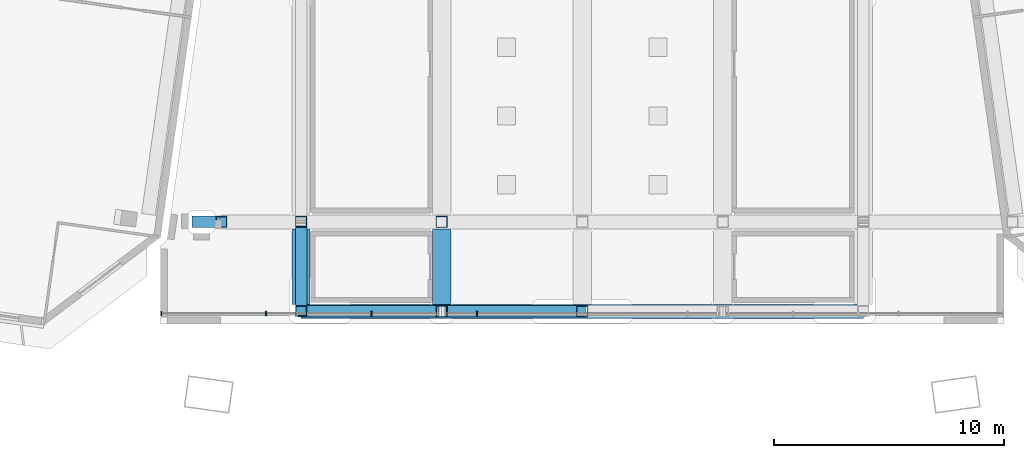
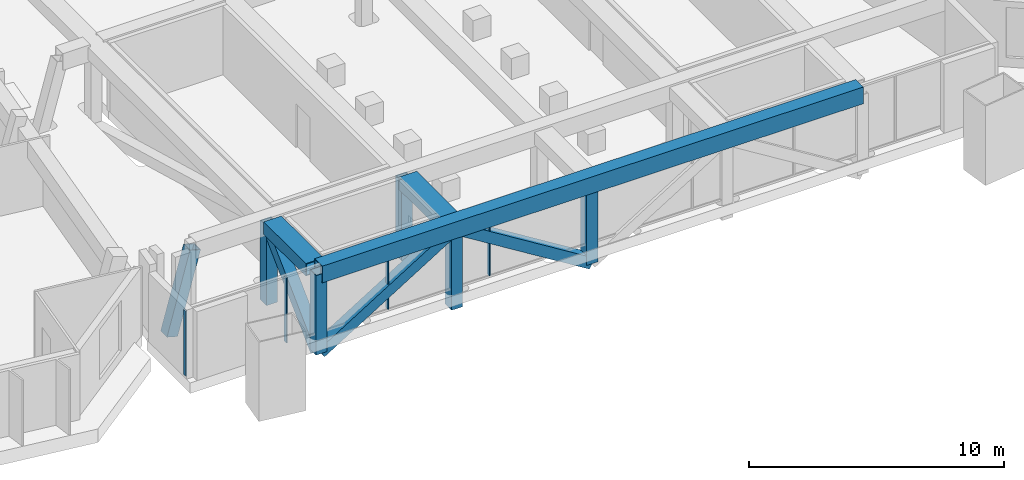
# One storey, part 3 of 30: 16 members, 1 element without a shape of its own.
"""IFC4 building model written with IfcOpenShell, lengths in metres."""

import ifcopenshell
import ifcopenshell.guid

model = None  # the IFC model being written
_history = None  # IfcOwnerHistory: only IFC2X3 demands one
_inside = {}  # id of a spatial element -> (the spatial element, [elements in it])
_under = {}  # id of a project, library or spatial element -> (it, [spatial elements below it])
_declared = {}  # id of a project -> (the project, [libraries it declares])
_typed = {}  # id of a type object -> (the type object, [elements of that type])
_made_of = {}  # id of a material, layer set ... -> (it, [elements and type objects made of it])


def new_model(schema):
    """Start an empty IFC model of exactly this schema.

    Asked for "IFC4X3", IfcOpenShell would pick the latest addendum, in which some entities
    have other attributes; the version numbers below select the first issue.
    IFC2X3 requires an IfcOwnerHistory on every rooted entity: one is made here for all.
    """
    global model, _history
    if schema == "IFC4X3":
        model = ifcopenshell.file(schema_version=(4, 3, 0, 0))
    else:
        model = ifcopenshell.file(schema=schema)
    _inside.clear()
    _under.clear()
    _declared.clear()
    _typed.clear()
    _made_of.clear()
    _history = None
    if model.schema == "IFC2X3":
        org = make("IfcOrganization", Name="unknown")
        user = make(
            "IfcPersonAndOrganization",
            ThePerson=make("IfcPerson", FamilyName="unknown"),
            TheOrganization=org,
        )
        app = make(
            "IfcApplication",
            ApplicationDeveloper=org,
            Version="unknown",
            ApplicationFullName="unknown",
            ApplicationIdentifier="unknown",
        )
        _history = make(
            "IfcOwnerHistory",
            OwningUser=user,
            OwningApplication=app,
            ChangeAction="ADDED",
            CreationDate=0,
        )
    return model


def make(cls, **values):
    """One entity of the class cls with the attributes given. An attribute that is None is left unset."""
    return model.create_entity(
        cls, **{name: value for name, value in values.items() if value is not None}
    )


def rooted(cls, **values):
    """An entity with a GlobalId (a new one), such as an element, a storey or a relation."""
    return make(cls, GlobalId=ifcopenshell.guid.new(), OwnerHistory=_history, **values)


def si_unit(unit_type, name, prefix=None):
    """IfcSIUnit, for example si_unit("LENGTHUNIT", "METRE", prefix="MILLI")."""
    return make("IfcSIUnit", UnitType=unit_type, Prefix=prefix, Name=name)


def assignment(units):
    """IfcUnitAssignment: the units of a project."""
    return None if units is None else make("IfcUnitAssignment", Units=units)


def point(xyz):
    """IfcCartesianPoint."""
    return None if xyz is None else make("IfcCartesianPoint", Coordinates=xyz)


def direction(xyz):
    """IfcDirection."""
    return None if xyz is None else make("IfcDirection", DirectionRatios=xyz)


def frame(location, z_axis=None, x_axis=None):
    """IfcAxis2Placement3D, a coordinate frame: its origin and axes. An axis left out is left unset."""
    return make(
        "IfcAxis2Placement3D",
        Location=point(location),
        Axis=direction(z_axis),
        RefDirection=direction(x_axis),
    )


def frame_2d(location, x_axis=None):
    """IfcAxis2Placement2D, a coordinate frame in the plane: its origin and x axis."""
    return make(
        "IfcAxis2Placement2D", Location=point(location), RefDirection=direction(x_axis)
    )


def origin():
    """The frame at (0, 0, 0) with its axes left unset."""
    return frame((0.0, 0.0, 0.0))


def origin_2d():
    """The frame at (0, 0) in the plane with its x axis left unset."""
    return frame_2d((0.0, 0.0))


def place(relative_to, where):
    """IfcLocalPlacement: puts the frame where relative to a parent placement (None: the world)."""
    return make(
        "IfcLocalPlacement", PlacementRelTo=relative_to, RelativePlacement=where
    )


def context(
    kind, dimensions, precision=None, world=None, true_north=None, identifier=None
):
    """IfcGeometricRepresentationContext, for example the 3D "Model" context."""
    return make(
        "IfcGeometricRepresentationContext",
        ContextIdentifier=identifier,
        ContextType=kind,
        CoordinateSpaceDimension=dimensions,
        Precision=precision,
        WorldCoordinateSystem=world,
        TrueNorth=true_north,
    )


def subcontext(parent, identifier, kind, view, scale=None):
    """IfcGeometricRepresentationSubContext, for example "Body" below "Model"."""
    return make(
        "IfcGeometricRepresentationSubContext",
        ContextIdentifier=identifier,
        ContextType=kind,
        ParentContext=parent,
        TargetScale=scale,
        TargetView=view,
    )


def project(units=None, contexts=None):
    """IfcProject with its units and contexts."""
    return rooted(
        "IfcProject",
        Name="project",
        RepresentationContexts=contexts,
        UnitsInContext=assignment(units),
    )


def spatial(cls, under=None, at=None, **own):
    """A site, building, storey or space (cls), placed at a placement, below another one or the project."""
    s = rooted(cls, ObjectPlacement=at, **own)
    if under is not None:
        _under.setdefault(under.id(), (under, []))[1].append(s)
    return s


def profile(cls, at=None, kind="AREA", **sizes):
    """A parametric profile (cls). Its sizes go by their IFC names, for example OverallWidth=200.0."""
    return make(cls, ProfileType=kind, Position=at, **sizes)


def rectangle(**sizes):
    """IfcRectangleProfileDef."""
    return profile("IfcRectangleProfileDef", **sizes)


def hollow_rectangle(**sizes):
    """IfcRectangleHollowProfileDef."""
    return profile("IfcRectangleHollowProfileDef", **sizes)


def extrude(swept, where, along, depth):
    """IfcExtrudedAreaSolid: the profile swept, set in the frame where, extruded along a direction by depth."""
    return make(
        "IfcExtrudedAreaSolid",
        SweptArea=swept,
        Position=where,
        ExtrudedDirection=direction(along),
        Depth=depth,
    )


def shape(context_of_items, identifier, shape_type, items):
    """IfcShapeRepresentation: the items that make up one representation, for example the "Body"."""
    return make(
        "IfcShapeRepresentation",
        ContextOfItems=context_of_items,
        RepresentationIdentifier=identifier,
        RepresentationType=shape_type,
        Items=items,
    )


def material(Name=None, Category=None):
    """IfcMaterial."""
    return make("IfcMaterial", Name=Name, Category=Category)


def material_profile(
    of_material, cross_section, Name=None, Category=None, Priority=None
):
    """IfcMaterialProfile: a cross section and its material."""
    return make(
        "IfcMaterialProfile",
        Name=Name,
        Material=of_material,
        Profile=cross_section,
        Priority=Priority,
        Category=Category,
    )


def profile_set(profiles, Name=None, composite=None):
    """IfcMaterialProfileSet."""
    return make(
        "IfcMaterialProfileSet",
        Name=Name,
        MaterialProfiles=profiles,
        CompositeProfile=composite,
    )


def made_of(thing, what):
    """Note that an element or type object is made of a material, layer set ...; save() writes the relation."""
    if what is not None:
        _made_of.setdefault(what.id(), (what, []))[1].append(thing)
    return thing


def type_object(cls, material=None, **own):
    """A type object (cls), such as IfcWallType, which elements share."""
    return made_of(rooted(cls, **own), material)


def element(
    cls,
    number,
    at=None,
    inside=None,
    cuts=None,
    type_object=None,
    material=None,
    context=None,
    identifier="Body",
    shape_type=None,
    held_by="IfcProductDefinitionShape",
    body=None,
    shapes=None,
    **own,
):
    """One element of the class cls, such as IfcWall. Its Tag is "e" and its number.

    at: its placement. inside: the storey or other place that contains it. cuts: it is an
    opening in that element (IfcRelVoidsElement). A single representation is given by context,
    identifier, shape_type and body (its items); several are given by shapes. held_by: the class
    of the entity that holds the representations. save() writes the other relations.
    """
    e = rooted(cls, Tag="e%d" % number, ObjectPlacement=at, **own)
    if body is not None:
        shapes = [shape(context, identifier, shape_type, body)]
    if shapes is not None:
        e.Representation = make(held_by, Representations=shapes)
    if inside is not None:
        _inside.setdefault(inside.id(), (inside, []))[1].append(e)
    if cuts is not None:
        rooted(
            "IfcRelVoidsElement", RelatingBuildingElement=cuts, RelatedOpeningElement=e
        )
    if type_object is not None:
        _typed.setdefault(type_object.id(), (type_object, []))[1].append(e)
    return made_of(e, material)


def aggregate(whole, parts):
    """IfcRelAggregates: a whole, such as a stair, and the parts it consists of."""
    return rooted("IfcRelAggregates", RelatingObject=whole, RelatedObjects=parts)


def save(model, path):
    """Write the relations noted so far, then the file.

    IfcRelAggregates (storeys below a building ...), IfcRelContainedInSpatialStructure (elements
    in a storey), IfcRelDefinesByType, IfcRelAssociatesMaterial and IfcRelDeclares: one each for
    every whole, place, type object, material and project.
    """
    for whole, parts in _under.values():
        aggregate(whole, parts)
    for where, things in _inside.values():
        rooted(
            "IfcRelContainedInSpatialStructure",
            RelatedElements=things,
            RelatingStructure=where,
        )
    for kind, things in _typed.values():
        rooted("IfcRelDefinesByType", RelatedObjects=things, RelatingType=kind)
    for what, things in _made_of.values():
        rooted("IfcRelAssociatesMaterial", RelatedObjects=things, RelatingMaterial=what)
    for by, libraries in _declared.values():
        rooted("IfcRelDeclares", RelatingContext=by, RelatedDefinitions=libraries)
    model.write(path)


model = new_model("IFC4")

# Units and contexts
model_context = context("Model", 3, precision=1e-05, world=origin(), true_north=direction((0.0, 1.0)))
body_context = subcontext(model_context, "Body", "Model", "MODEL_VIEW")
ifc_project = project(units=[si_unit("LENGTHUNIT", "METRE"), si_unit("AREAUNIT", "SQUARE_METRE"), si_unit("VOLUMEUNIT", "CUBIC_METRE"), si_unit("PLANEANGLEUNIT", "RADIAN"), si_unit("MASSUNIT", "GRAM", prefix="KILO")], contexts=[model_context])

# Site, building, storey
site_placement = place(None, origin())
site = spatial("IfcSite", under=ifc_project, at=site_placement, CompositionType="ELEMENT")
building_placement = place(site_placement, origin())
building = spatial("IfcBuilding", under=site, at=building_placement, Name="Mirante Cascada Hotel Towers", CompositionType="ELEMENT")
storey_placement = place(building_placement, frame((0.0, 0.0, 258.4)))
storey = spatial("IfcBuildingStorey", under=building, at=storey_placement, Name="L62", CompositionType="ELEMENT", Elevation=258.4)

# Members
ifc_material_1 = material(Name="Steel ASTM A572 Gr 50", Category="steel")
ifc_material_profile_1 = material_profile(ifc_material_1, hollow_rectangle(XDim=0.6, YDim=0.8, WallThickness=0.04, at=origin_2d()), Name="Box chord 800x600x40 ASTM A572 Gr 50")
ifc_profile_set_1 = profile_set([ifc_material_profile_1], Name="Steel ASTM A572 Gr 50")
member_type_1 = type_object("IfcMemberType", Name="Box chord 800x600x40 ASTM A572 Gr 50", PredefinedType="CHORD", material=ifc_profile_set_1)
for number, where, z_axis, x_axis, name in (
    (1, (-12.2514, -21.2153, 2.9), (0.0, 1.0, 0.0), (0.0, 0.0, 1.0), "dchord sky park L63 1"),
    (2, (-6.1257, -21.2153, 2.9), (0.0, 1.0, 0.0), (0.0, 0.0, 1.0), "dchord sky park L63 5"),
):
    element("IfcMember", number, at=place(storey_placement, frame(where, z_axis=z_axis, x_axis=x_axis)), inside=storey, type_object=member_type_1, Name=name, PredefinedType="CHORD", context=body_context, shape_type="SweptSolid", body=[
        extrude(hollow_rectangle(XDim=0.6, YDim=0.8, WallThickness=0.04, at=origin_2d()), origin(), (0.0, 0.0, 1.0), 3.3),
    ])
member_1_placement = place(storey_placement, frame((-12.2514, -21.5153, 2.9), z_axis=(1.0, 0.0, 0.0), x_axis=(0.0, 1.0, 0.0)))
element("IfcMember", 3, at=member_1_placement, inside=storey, type_object=member_type_1, Name="dchord sky park L63 29", PredefinedType="CHORD", context=body_context, shape_type="SweptSolid", body=[
    extrude(hollow_rectangle(XDim=0.6, YDim=0.8, WallThickness=0.04, at=origin_2d()), origin(), (0.0, 0.0, 1.0), 24.5028),
])
ifc_material_2 = material(Name="Steel ASTM A572 Gr 50", Category="steel")
ifc_material_profile_2 = material_profile(ifc_material_2, hollow_rectangle(XDim=0.5, YDim=0.5, WallThickness=0.03, at=origin_2d()), Name="Box diagonal 500x500x30 ASTM A572 Gr 50")
ifc_profile_set_2 = profile_set([ifc_material_profile_2], Name="Steel ASTM A572 Gr 50")
member_type_2 = type_object("IfcMemberType", Name="Box diagonal 500x500x30 ASTM A572 Gr 50", PredefinedType="BRACE", material=ifc_profile_set_2)
member_2_placement = place(storey_placement, frame((-12.2514, -21.5153, -0.9), z_axis=(0.0, 0.7162296, 0.6978647), x_axis=(-1.0, 0.0, 0.0)))
element("IfcMember", 4, at=member_2_placement, inside=storey, type_object=member_type_2, Name="ddiag sky park L62 1", PredefinedType="BRACE", context=body_context, shape_type="SweptSolid", body=[
    extrude(hollow_rectangle(XDim=0.5, YDim=0.5, WallThickness=0.03, at=origin_2d()), origin(), (0.0, 0.0, 1.0), 5.4452),
])
for number, where, z_axis, x_axis, name in (
    (5, (-12.2514, -21.5153, -0.9), (0.8497743, 0.0, 0.5271467), (0.0, 1.0, 0.0), "ddiag sky park L62 15"),
    (6, (0.0, -21.5153, -0.9), (-0.8497743, 0.0, 0.5271467), (0.0, -1.0, 0.0), "ddiag sky park L62 16"),
):
    element("IfcMember", number, at=place(storey_placement, frame(where, z_axis=z_axis, x_axis=x_axis)), inside=storey, type_object=member_type_2, Name=name, PredefinedType="BRACE", context=body_context, shape_type="SweptSolid", body=[
        extrude(hollow_rectangle(XDim=0.5, YDim=0.5, WallThickness=0.03, at=origin_2d()), origin(), (0.0, 0.0, 1.0), 7.2086),
    ])
ifc_material_3 = material(Name="Steel ASTM A572 Gr 50", Category="steel")
ifc_material_profile_3 = material_profile(ifc_material_3, hollow_rectangle(XDim=0.5, YDim=0.5, WallThickness=0.03, at=origin_2d()), Name="Box post 500x500x30 ASTM A572 Gr 50")
ifc_profile_set_3 = profile_set([ifc_material_profile_3], Name="Steel ASTM A572 Gr 50")
member_type_3 = type_object("IfcMemberType", Name="Box post 500x500x30 ASTM A572 Gr 50", PredefinedType="POST", material=ifc_profile_set_3)
for number, where, z_axis, x_axis, name in (
    (7, (-12.2514, -21.5153, -0.9), (0.0, 0.0, 1.0), (1.0, 0.0, 0.0), "dpost sky park L62 1"),
    (8, (-12.2514, -17.6153, -0.9), (0.0, 0.0, 1.0), (1.0, 0.0, 0.0), "dpost sky park L62 2"),
    (9, (-6.1257, -21.5153, -0.9), (0.0, 0.0, 1.0), (1.0, 0.0, 0.0), "dpost sky park L62 8"),
    (10, (-6.1257, -17.6153, -0.9), (0.0, 0.0, 1.0), (1.0, 0.0, 0.0), "dpost sky park L62 9"),
    (11, (0.0, -21.5153, -0.9), (0.0, 0.0, 1.0), (1.0, 0.0, 0.0), "dpost sky park L62 15"),
):
    element("IfcMember", number, at=place(storey_placement, frame(where, z_axis=z_axis, x_axis=x_axis)), inside=storey, type_object=member_type_3, Name=name, PredefinedType="POST", context=body_context, shape_type="SweptSolid", body=[
        extrude(hollow_rectangle(XDim=0.5, YDim=0.5, WallThickness=0.03, at=origin_2d()), origin(), (0.0, 0.0, 1.0), 3.8),
    ])
member_3_placement = place(storey_placement, frame((-16.7647, -17.6153, -0.9), z_axis=(0.264543, 0.0, 0.9643739), x_axis=(0.0, 1.0, 0.0)))
element("IfcMember", 12, at=member_3_placement, inside=storey, type_object=member_type_3, Name="dpost sky park L62 36", PredefinedType="POST", context=body_context, shape_type="SweptSolid", body=[
    extrude(hollow_rectangle(XDim=0.5, YDim=0.5, WallThickness=0.03, at=origin_2d()), origin(), (0.0, 0.0, 1.0), 3.9404),
])

# Curtain wall, members
ifc_material_4 = material(Name="Aluminium mullion and transom frame with clear laminated glass", Category="aluminium")
curtain_wall_type = type_object("IfcCurtainWallType", Name="Sky park deck curtain wall ECW5", PredefinedType="NOTDEFINED", material=ifc_material_4)
curtain_wall_placement = place(storey_placement, origin())
curtain_wall = element("IfcCurtainWall", 13, at=curtain_wall_placement, inside=storey, type_object=curtain_wall_type, Name="Sky park glazing L62 run 1", PredefinedType="NOTDEFINED")
ifc_material_5 = material(Name="Anodised aluminium extrusion", Category="aluminium")
ifc_material_profile_4 = material_profile(ifc_material_5, rectangle(XDim=0.18, YDim=0.06, at=origin_2d()), Name="ECW5 MULLION 60x180")
ifc_profile_set_4 = profile_set([ifc_material_profile_4], Name="Anodised aluminium extrusion")
member_type_4 = type_object("IfcMemberType", Name="ECW5 mullion 60x180", PredefinedType="MULLION", material=ifc_profile_set_4)
member_4_placement = place(storey_placement, frame((-18.3424, -21.6089, 0.09), z_axis=(0.0, 0.0, 1.0), x_axis=(0.0, 1.0, 0.0)))
member_4 = element("IfcMember", 14, at=member_4_placement, type_object=member_type_4, Name="ECW5 mullion 1", PredefinedType="MULLION", context=body_context, shape_type="SweptSolid", body=[
    extrude(rectangle(XDim=0.18, YDim=0.06, at=origin_2d()), origin(), (0.0, 0.0, 1.0), 3.12),
])
member_5_placement = place(storey_placement, frame((-13.7793, -21.6089, 0.09), z_axis=(0.0, 0.0, 1.0), x_axis=(0.0, 1.0, 0.0)))
member_5 = element("IfcMember", 15, at=member_5_placement, type_object=member_type_4, Name="ECW5 mullion 2", PredefinedType="MULLION", context=body_context, shape_type="SweptSolid", body=[
    extrude(rectangle(XDim=0.18, YDim=0.06, at=origin_2d()), origin(), (0.0, 0.0, 1.0), 3.12),
])
member_6_placement = place(storey_placement, frame((-9.1862, -21.6089, 0.09), z_axis=(0.0, 0.0, 1.0), x_axis=(0.0, 1.0, 0.0)))
member_6 = element("IfcMember", 16, at=member_6_placement, type_object=member_type_4, Name="ECW5 mullion 3", PredefinedType="MULLION", context=body_context, shape_type="SweptSolid", body=[
    extrude(rectangle(XDim=0.18, YDim=0.06, at=origin_2d()), origin(), (0.0, 0.0, 1.0), 3.12),
])
member_7_placement = place(storey_placement, frame((-4.5931, -21.6089, 0.09), z_axis=(0.0, 0.0, 1.0), x_axis=(0.0, 1.0, 0.0)))
member_7 = element("IfcMember", 17, at=member_7_placement, type_object=member_type_4, Name="ECW5 mullion 4", PredefinedType="MULLION", context=body_context, shape_type="SweptSolid", body=[
    extrude(rectangle(XDim=0.18, YDim=0.06, at=origin_2d()), origin(), (0.0, 0.0, 1.0), 3.12),
])
aggregate(curtain_wall, [member_4, member_5, member_6, member_7])

save(model, "model.ifc")
